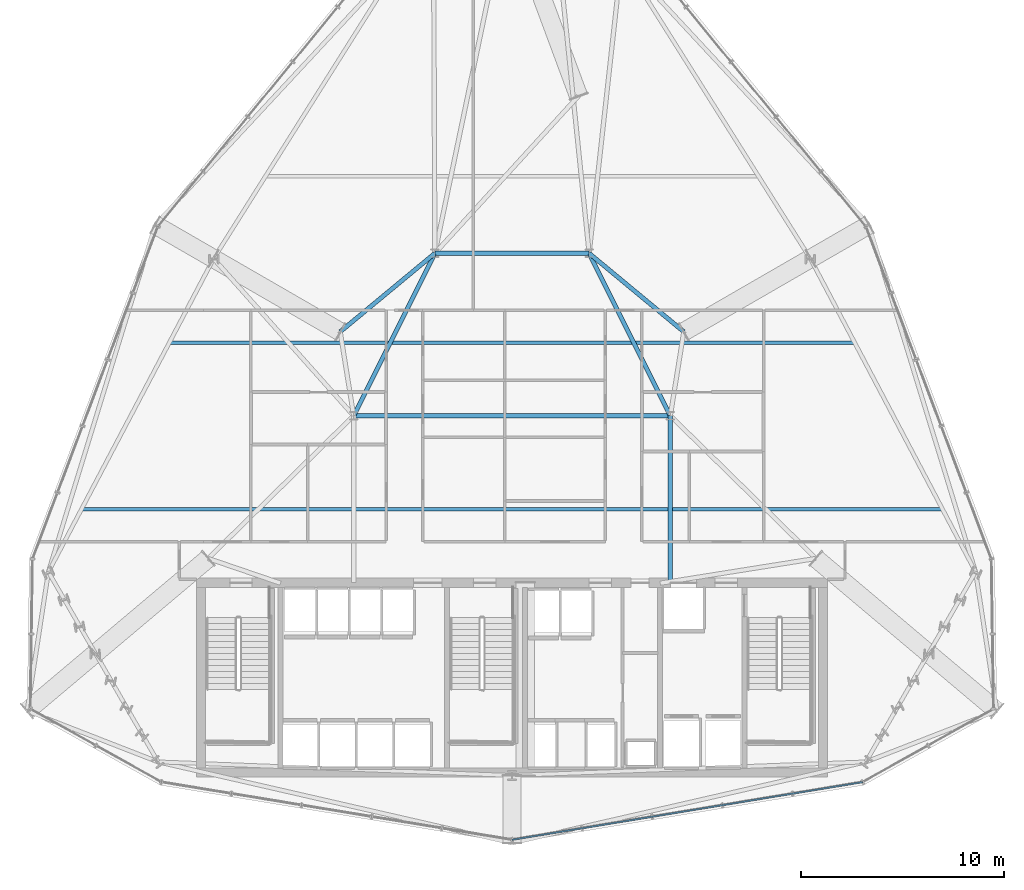
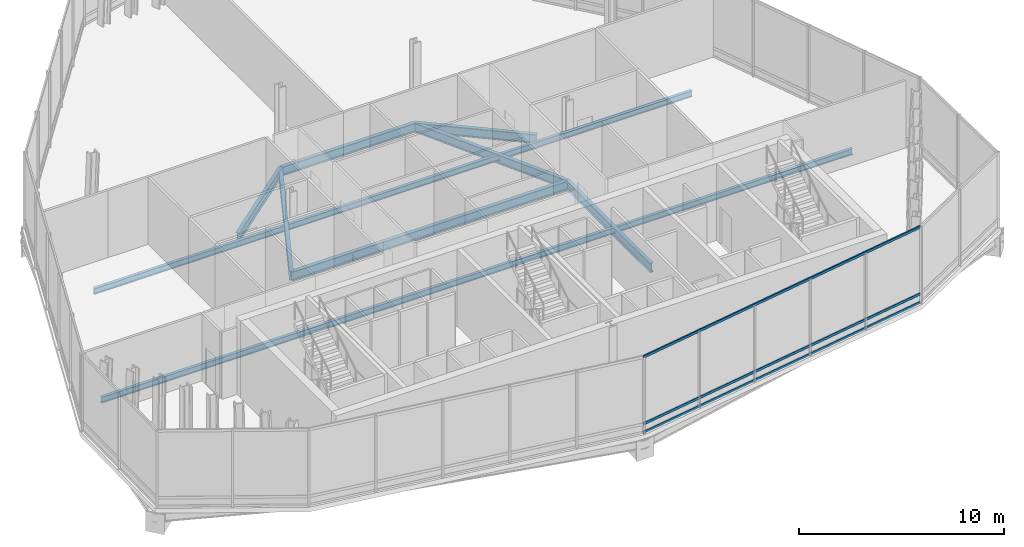
# One storey, part 8 of 26: 9 beams, 3 members, 1 element without a shape of its own.
"""IFC4 building model written with IfcOpenShell, lengths in metres."""

import ifcopenshell
import ifcopenshell.guid

model = None  # the IFC model being written
_history = None  # IfcOwnerHistory: only IFC2X3 demands one
_inside = {}  # id of a spatial element -> (the spatial element, [elements in it])
_under = {}  # id of a project, library or spatial element -> (it, [spatial elements below it])
_declared = {}  # id of a project -> (the project, [libraries it declares])
_typed = {}  # id of a type object -> (the type object, [elements of that type])
_made_of = {}  # id of a material, layer set ... -> (it, [elements and type objects made of it])


def new_model(schema):
    """Start an empty IFC model of exactly this schema.

    Asked for "IFC4X3", IfcOpenShell would pick the latest addendum, in which some entities
    have other attributes; the version numbers below select the first issue.
    IFC2X3 requires an IfcOwnerHistory on every rooted entity: one is made here for all.
    """
    global model, _history
    if schema == "IFC4X3":
        model = ifcopenshell.file(schema_version=(4, 3, 0, 0))
    else:
        model = ifcopenshell.file(schema=schema)
    _inside.clear()
    _under.clear()
    _declared.clear()
    _typed.clear()
    _made_of.clear()
    _history = None
    if model.schema == "IFC2X3":
        org = make("IfcOrganization", Name="unknown")
        user = make(
            "IfcPersonAndOrganization",
            ThePerson=make("IfcPerson", FamilyName="unknown"),
            TheOrganization=org,
        )
        app = make(
            "IfcApplication",
            ApplicationDeveloper=org,
            Version="unknown",
            ApplicationFullName="unknown",
            ApplicationIdentifier="unknown",
        )
        _history = make(
            "IfcOwnerHistory",
            OwningUser=user,
            OwningApplication=app,
            ChangeAction="ADDED",
            CreationDate=0,
        )
    return model


def make(cls, **values):
    """One entity of the class cls with the attributes given. An attribute that is None is left unset."""
    return model.create_entity(
        cls, **{name: value for name, value in values.items() if value is not None}
    )


def rooted(cls, **values):
    """An entity with a GlobalId (a new one), such as an element, a storey or a relation."""
    return make(cls, GlobalId=ifcopenshell.guid.new(), OwnerHistory=_history, **values)


def si_unit(unit_type, name, prefix=None):
    """IfcSIUnit, for example si_unit("LENGTHUNIT", "METRE", prefix="MILLI")."""
    return make("IfcSIUnit", UnitType=unit_type, Prefix=prefix, Name=name)


def assignment(units):
    """IfcUnitAssignment: the units of a project."""
    return None if units is None else make("IfcUnitAssignment", Units=units)


def point(xyz):
    """IfcCartesianPoint."""
    return None if xyz is None else make("IfcCartesianPoint", Coordinates=xyz)


def direction(xyz):
    """IfcDirection."""
    return None if xyz is None else make("IfcDirection", DirectionRatios=xyz)


def frame(location, z_axis=None, x_axis=None):
    """IfcAxis2Placement3D, a coordinate frame: its origin and axes. An axis left out is left unset."""
    return make(
        "IfcAxis2Placement3D",
        Location=point(location),
        Axis=direction(z_axis),
        RefDirection=direction(x_axis),
    )


def frame_2d(location, x_axis=None):
    """IfcAxis2Placement2D, a coordinate frame in the plane: its origin and x axis."""
    return make(
        "IfcAxis2Placement2D", Location=point(location), RefDirection=direction(x_axis)
    )


def origin():
    """The frame at (0, 0, 0) with its axes left unset."""
    return frame((0.0, 0.0, 0.0))


def origin_2d():
    """The frame at (0, 0) in the plane with its x axis left unset."""
    return frame_2d((0.0, 0.0))


def place(relative_to, where):
    """IfcLocalPlacement: puts the frame where relative to a parent placement (None: the world)."""
    return make(
        "IfcLocalPlacement", PlacementRelTo=relative_to, RelativePlacement=where
    )


def context(
    kind, dimensions, precision=None, world=None, true_north=None, identifier=None
):
    """IfcGeometricRepresentationContext, for example the 3D "Model" context."""
    return make(
        "IfcGeometricRepresentationContext",
        ContextIdentifier=identifier,
        ContextType=kind,
        CoordinateSpaceDimension=dimensions,
        Precision=precision,
        WorldCoordinateSystem=world,
        TrueNorth=true_north,
    )


def subcontext(parent, identifier, kind, view, scale=None):
    """IfcGeometricRepresentationSubContext, for example "Body" below "Model"."""
    return make(
        "IfcGeometricRepresentationSubContext",
        ContextIdentifier=identifier,
        ContextType=kind,
        ParentContext=parent,
        TargetScale=scale,
        TargetView=view,
    )


def project(units=None, contexts=None):
    """IfcProject with its units and contexts."""
    return rooted(
        "IfcProject",
        Name="project",
        RepresentationContexts=contexts,
        UnitsInContext=assignment(units),
    )


def spatial(cls, under=None, at=None, **own):
    """A site, building, storey or space (cls), placed at a placement, below another one or the project."""
    s = rooted(cls, ObjectPlacement=at, **own)
    if under is not None:
        _under.setdefault(under.id(), (under, []))[1].append(s)
    return s


def profile(cls, at=None, kind="AREA", **sizes):
    """A parametric profile (cls). Its sizes go by their IFC names, for example OverallWidth=200.0."""
    return make(cls, ProfileType=kind, Position=at, **sizes)


def hollow_rectangle(**sizes):
    """IfcRectangleHollowProfileDef."""
    return profile("IfcRectangleHollowProfileDef", **sizes)


def i_section(**sizes):
    """IfcIShapeProfileDef."""
    return profile("IfcIShapeProfileDef", **sizes)


def extrude(swept, where, along, depth):
    """IfcExtrudedAreaSolid: the profile swept, set in the frame where, extruded along a direction by depth."""
    return make(
        "IfcExtrudedAreaSolid",
        SweptArea=swept,
        Position=where,
        ExtrudedDirection=direction(along),
        Depth=depth,
    )


def shape(context_of_items, identifier, shape_type, items):
    """IfcShapeRepresentation: the items that make up one representation, for example the "Body"."""
    return make(
        "IfcShapeRepresentation",
        ContextOfItems=context_of_items,
        RepresentationIdentifier=identifier,
        RepresentationType=shape_type,
        Items=items,
    )


def material(Name=None, Category=None):
    """IfcMaterial."""
    return make("IfcMaterial", Name=Name, Category=Category)


def layer(
    of_material, thickness, ventilated=None, Name=None, Category=None, Priority=None
):
    """IfcMaterialLayer: one layer of a wall or slab, of a material (None: an air gap)."""
    return make(
        "IfcMaterialLayer",
        Material=of_material,
        LayerThickness=thickness,
        IsVentilated=ventilated,
        Name=Name,
        Category=Category,
        Priority=Priority,
    )


def layer_set(layers, Name=None):
    """IfcMaterialLayerSet."""
    return make("IfcMaterialLayerSet", MaterialLayers=layers, LayerSetName=Name)


def material_profile(
    of_material, cross_section, Name=None, Category=None, Priority=None
):
    """IfcMaterialProfile: a cross section and its material."""
    return make(
        "IfcMaterialProfile",
        Name=Name,
        Material=of_material,
        Profile=cross_section,
        Priority=Priority,
        Category=Category,
    )


def profile_set(profiles, Name=None, composite=None):
    """IfcMaterialProfileSet."""
    return make(
        "IfcMaterialProfileSet",
        Name=Name,
        MaterialProfiles=profiles,
        CompositeProfile=composite,
    )


def made_of(thing, what):
    """Note that an element or type object is made of a material, layer set ...; save() writes the relation."""
    if what is not None:
        _made_of.setdefault(what.id(), (what, []))[1].append(thing)
    return thing


def type_object(cls, material=None, **own):
    """A type object (cls), such as IfcWallType, which elements share."""
    return made_of(rooted(cls, **own), material)


def element(
    cls,
    number,
    at=None,
    inside=None,
    cuts=None,
    type_object=None,
    material=None,
    context=None,
    identifier="Body",
    shape_type=None,
    held_by="IfcProductDefinitionShape",
    body=None,
    shapes=None,
    **own,
):
    """One element of the class cls, such as IfcWall. Its Tag is "e" and its number.

    at: its placement. inside: the storey or other place that contains it. cuts: it is an
    opening in that element (IfcRelVoidsElement). A single representation is given by context,
    identifier, shape_type and body (its items); several are given by shapes. held_by: the class
    of the entity that holds the representations. save() writes the other relations.
    """
    e = rooted(cls, Tag="e%d" % number, ObjectPlacement=at, **own)
    if body is not None:
        shapes = [shape(context, identifier, shape_type, body)]
    if shapes is not None:
        e.Representation = make(held_by, Representations=shapes)
    if inside is not None:
        _inside.setdefault(inside.id(), (inside, []))[1].append(e)
    if cuts is not None:
        rooted(
            "IfcRelVoidsElement", RelatingBuildingElement=cuts, RelatedOpeningElement=e
        )
    if type_object is not None:
        _typed.setdefault(type_object.id(), (type_object, []))[1].append(e)
    return made_of(e, material)


def aggregate(whole, parts):
    """IfcRelAggregates: a whole, such as a stair, and the parts it consists of."""
    return rooted("IfcRelAggregates", RelatingObject=whole, RelatedObjects=parts)


def save(model, path):
    """Write the relations noted so far, then the file.

    IfcRelAggregates (storeys below a building ...), IfcRelContainedInSpatialStructure (elements
    in a storey), IfcRelDefinesByType, IfcRelAssociatesMaterial and IfcRelDeclares: one each for
    every whole, place, type object, material and project.
    """
    for whole, parts in _under.values():
        aggregate(whole, parts)
    for where, things in _inside.values():
        rooted(
            "IfcRelContainedInSpatialStructure",
            RelatedElements=things,
            RelatingStructure=where,
        )
    for kind, things in _typed.values():
        rooted("IfcRelDefinesByType", RelatedObjects=things, RelatingType=kind)
    for what, things in _made_of.values():
        rooted("IfcRelAssociatesMaterial", RelatedObjects=things, RelatingMaterial=what)
    for by, libraries in _declared.values():
        rooted("IfcRelDeclares", RelatingContext=by, RelatedDefinitions=libraries)
    model.write(path)


model = new_model("IFC4")

# Units and contexts
model_context = context("Model", 3, precision=1e-05, world=origin(), true_north=direction((0.0, 1.0)))
body_context = subcontext(model_context, "Body", "Model", "MODEL_VIEW")
ifc_project = project(units=[si_unit("LENGTHUNIT", "METRE"), si_unit("AREAUNIT", "SQUARE_METRE"), si_unit("VOLUMEUNIT", "CUBIC_METRE"), si_unit("PLANEANGLEUNIT", "RADIAN"), si_unit("MASSUNIT", "GRAM", prefix="KILO")], contexts=[model_context])

# Site, building, storey
site_placement = place(None, origin())
site = spatial("IfcSite", under=ifc_project, at=site_placement, CompositionType="ELEMENT")
building_placement = place(site_placement, origin())
building = spatial("IfcBuilding", under=site, at=building_placement, Name="Ndaravel Arena Tower", CompositionType="ELEMENT")
storey_placement = place(building_placement, frame((0.0, 0.0, 122.199951171875)))
storey = spatial("IfcBuildingStorey", under=building, at=storey_placement, Name="L28", CompositionType="ELEMENT", Elevation=122.199951171875)

# Beams
ifc_material_1 = material(Name="Steel S355", Category="steel")
ifc_material_profile_1 = material_profile(ifc_material_1, i_section(OverallWidth=0.210693359375, OverallDepth=0.53955078125, WebThickness=0.01171875, FlangeThickness=0.018798828125, FilletRadius=0.0126953125, at=origin_2d()), Name="UB 533x210x109")
ifc_profile_set_1 = profile_set([ifc_material_profile_1], Name="Steel S355")
beam_type_1 = type_object("IfcBeamType", Name="BM-GIRD-UB533", PredefinedType="BEAM", material=ifc_profile_set_1)
beam_1_placement = place(storey_placement, frame((49.800048828125, 14.97998046875, -0.5498046875), z_axis=(0.0, 1.0, 0.0), x_axis=(-1.0, 0.0, 0.0)))
element("IfcBeam", 1, at=beam_1_placement, inside=storey, type_object=beam_type_1, Name="L28 Spine Link Girder SLG-02", PredefinedType="BEAM", context=body_context, shape_type="SweptSolid", body=[
    extrude(i_section(OverallWidth=0.210693359375, OverallDepth=0.53955078125, WebThickness=0.01171875, FlangeThickness=0.018798828125, FilletRadius=0.0126953125, at=origin_2d()), origin(), (0.0, 0.0, 1.0), 8.219970703125),
])
beam_2_placement = place(storey_placement, frame((34.199951171875, 23.199951171875, -0.5498046875), z_axis=(1.0, 0.0, 0.0), x_axis=(0.0, 1.0, 0.0)))
element("IfcBeam", 2, at=beam_2_placement, inside=storey, type_object=beam_type_1, Name="L28 Spine Link Girder SLG-03", PredefinedType="BEAM", context=body_context, shape_type="SweptSolid", body=[
    extrude(i_section(OverallWidth=0.210693359375, OverallDepth=0.53955078125, WebThickness=0.01171875, FlangeThickness=0.018798828125, FilletRadius=0.0126953125, at=origin_2d()), origin(), (0.0, 0.0, 1.0), 15.60009765625),
])
for number, where, z_axis, x_axis, name in (
    (3, (34.199951171875, 23.199951171875, -0.5498046875), (0.4472135955, 0.894427191, 0.0), (-0.894427191, 0.4472135955, 0.0), "L28 Spine Link Girder SLG-04"),
    (4, (49.800048828125, 23.199951171875, -0.5498046875), (-0.4472135955, 0.894427191, 0.0), (-0.894427191, -0.4472135955, 0.0), "L28 Spine Link Girder SLG-05"),
):
    element("IfcBeam", number, at=place(storey_placement, frame(where, z_axis=z_axis, x_axis=x_axis)), inside=storey, type_object=beam_type_1, Name=name, PredefinedType="BEAM", context=body_context, shape_type="SweptSolid", body=[
        extrude(i_section(OverallWidth=0.210693359375, OverallDepth=0.53955078125, WebThickness=0.01171875, FlangeThickness=0.018798828125, FilletRadius=0.0126953125, at=origin_2d()), origin(), (0.0, 0.0, 1.0), 8.9443359375),
    ])
beam_3_placement = place(storey_placement, frame((38.199951171875, 31.199951171875, -0.5498046875), z_axis=(1.0, 0.0, 0.0), x_axis=(0.0, 1.0, 0.0)))
element("IfcBeam", 5, at=beam_3_placement, inside=storey, type_object=beam_type_1, Name="L28 Spine Link Girder SLG-06", PredefinedType="BEAM", context=body_context, shape_type="SweptSolid", body=[
    extrude(i_section(OverallWidth=0.210693359375, OverallDepth=0.53955078125, WebThickness=0.01171875, FlangeThickness=0.018798828125, FilletRadius=0.0126953125, at=origin_2d()), origin(), (0.0, 0.0, 1.0), 7.60009765625),
])
for number, where, z_axis, x_axis, name in (
    (6, (50.462890625, 27.33837890625, -0.5498046875), (-0.770177765187, 0.637829295354, 0.0), (-0.637829295354, -0.770177765187, 0.0), "L28 Star Backspan Anchor Tie SAT2-4"),
    (7, (33.537109375, 27.33837890625, -0.5498046875), (0.770177765187, 0.637829295354, 0.0), (-0.637829295354, 0.770177765187, 0.0), "L28 Star Backspan Anchor Tie SAT2-6"),
):
    element("IfcBeam", number, at=place(storey_placement, frame(where, z_axis=z_axis, x_axis=x_axis)), inside=storey, type_object=beam_type_1, Name=name, PredefinedType="BEAM", context=body_context, shape_type="SweptSolid", body=[
        extrude(i_section(OverallWidth=0.210693359375, OverallDepth=0.53955078125, WebThickness=0.01171875, FlangeThickness=0.018798828125, FilletRadius=0.0126953125, at=origin_2d()), origin(), (0.0, 0.0, 1.0), 6.05419921875),
    ])
ifc_material_2 = material(Name="Steel S355", Category="steel")
ifc_material_profile_2 = material_profile(ifc_material_2, i_section(OverallWidth=0.172119140625, OverallDepth=0.35791015625, WebThickness=0.008056640625, FlangeThickness=0.012939453125, FilletRadius=0.01025390625, at=origin_2d()), Name="UB 356x171x57")
ifc_profile_set_2 = profile_set([ifc_material_profile_2], Name="Steel S355")
beam_type_2 = type_object("IfcBeamType", Name="BM-JOIST-UB356", PredefinedType="JOIST", material=ifc_profile_set_2)
beam_4_placement = place(storey_placement, frame((20.794921875, 18.60009765625, -0.458984375), z_axis=(1.0, 0.0, 0.0), x_axis=(0.0, 1.0, 0.0)))
element("IfcBeam", 8, at=beam_4_placement, inside=storey, type_object=beam_type_2, Name="L28 Composite Floor Joist FJ-01", PredefinedType="JOIST", context=body_context, shape_type="SweptSolid", body=[
    extrude(i_section(OverallWidth=0.172119140625, OverallDepth=0.35791015625, WebThickness=0.008056640625, FlangeThickness=0.012939453125, FilletRadius=0.01025390625, at=origin_2d()), origin(), (0.0, 0.0, 1.0), 42.41015625),
])
beam_5_placement = place(storey_placement, frame((25.119384765625, 26.800048828125, -0.458984375), z_axis=(1.0, 0.0, 0.0), x_axis=(0.0, 1.0, 0.0)))
element("IfcBeam", 9, at=beam_5_placement, inside=storey, type_object=beam_type_2, Name="L28 Composite Floor Joist FJ-02", PredefinedType="JOIST", context=body_context, shape_type="SweptSolid", body=[
    extrude(i_section(OverallWidth=0.172119140625, OverallDepth=0.35791015625, WebThickness=0.008056640625, FlangeThickness=0.012939453125, FilletRadius=0.01025390625, at=origin_2d()), origin(), (0.0, 0.0, 1.0), 33.76123046875),
])

# Curtain wall, members
ifc_material_3 = material(Name="Aluminium", Category="aluminium")
ifc_layer = layer(ifc_material_3, 0.179931640625)
ifc_layer_set = layer_set([ifc_layer], Name="Aluminium")
curtain_wall_type = type_object("IfcCurtainWallType", Name="CW-SYS-04", PredefinedType="NOTDEFINED", material=ifc_layer_set)
curtain_wall_placement = place(storey_placement, origin())
curtain_wall = element("IfcCurtainWall", 10, at=curtain_wall_placement, inside=storey, type_object=curtain_wall_type, Name="L28 Faceted Crystal Curtain Wall CW-L28-E03", PredefinedType="NOTDEFINED")
ifc_material_4 = material(Name="Aluminium", Category="aluminium")
ifc_material_profile_3 = material_profile(ifc_material_4, hollow_rectangle(XDim=0.074951171875, YDim=0.14990234375, WallThickness=0.00390625, at=origin_2d()), Name="CW TRANSOM 75x150x4")
ifc_profile_set_3 = profile_set([ifc_material_profile_3], Name="Aluminium")
member_type = type_object("IfcMemberType", Name="MEM-CW-TRN150", PredefinedType="USERDEFINED", material=ifc_profile_set_3)
member_1_placement = place(storey_placement, frame((42.0, 2.31201171875, 0.0400390625), z_axis=(0.986739994862, 0.162308910846, 0.0), x_axis=(-0.162308910846, 0.986739994862, 0.0)))
member_1 = element("IfcMember", 11, at=member_1_placement, type_object=member_type, Name="CW-L28-E03 Transom 01", ObjectType="TRANSOM", PredefinedType="USERDEFINED", context=body_context, shape_type="SweptSolid", body=[
    extrude(hollow_rectangle(XDim=0.074951171875, YDim=0.14990234375, WallThickness=0.00390625, at=origin_2d()), origin(), (0.0, 0.0, 1.0), 17.505615234375),
])
member_2_placement = place(storey_placement, frame((42.0, 2.31201171875, 0.550048828125), z_axis=(0.986739994862, 0.162308910846, 0.0), x_axis=(-0.162308910846, 0.986739994862, 0.0)))
member_2 = element("IfcMember", 12, at=member_2_placement, type_object=member_type, Name="CW-L28-E03 Transom 02", ObjectType="TRANSOM", PredefinedType="USERDEFINED", context=body_context, shape_type="SweptSolid", body=[
    extrude(hollow_rectangle(XDim=0.074951171875, YDim=0.14990234375, WallThickness=0.00390625, at=origin_2d()), origin(), (0.0, 0.0, 1.0), 17.505615234375),
])
member_3_placement = place(storey_placement, frame((42.0, 2.31201171875, 4.5400390625), z_axis=(0.986739994862, 0.162308910846, 0.0), x_axis=(-0.162308910846, 0.986739994862, 0.0)))
member_3 = element("IfcMember", 13, at=member_3_placement, type_object=member_type, Name="CW-L28-E03 Transom 03", ObjectType="TRANSOM", PredefinedType="USERDEFINED", context=body_context, shape_type="SweptSolid", body=[
    extrude(hollow_rectangle(XDim=0.074951171875, YDim=0.14990234375, WallThickness=0.00390625, at=origin_2d()), origin(), (0.0, 0.0, 1.0), 17.505615234375),
])
aggregate(curtain_wall, [member_1, member_2, member_3])

save(model, "model.ifc")
